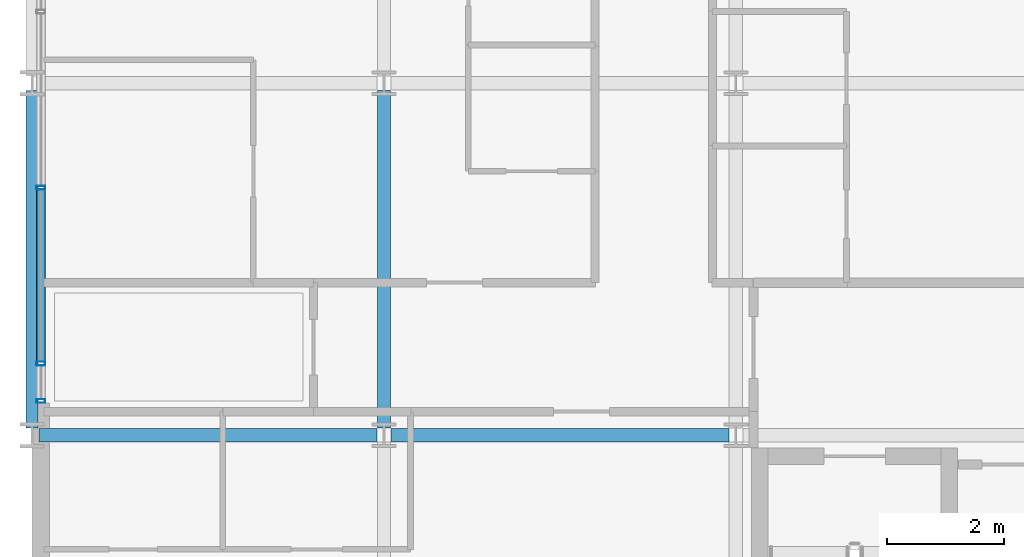
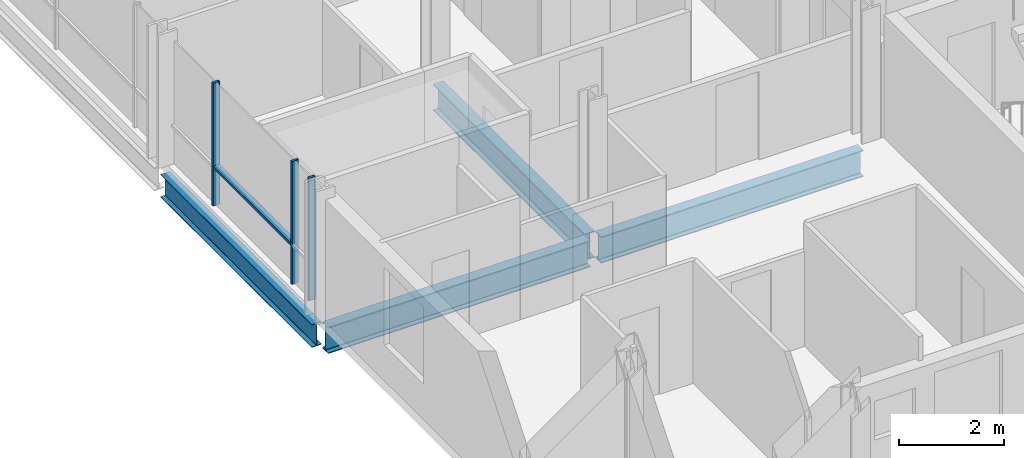
# One storey, part 2 of 40: 4 beams, 4 members, 1 element without a shape of its own.
"""IFC4 building model written with IfcOpenShell, lengths in metres."""

from ifc_helpers import new_model, si_unit, direction, frame, origin, origin_2d, place, context, subcontext, project, spatial, hollow_rectangle, i_section, extrude, material, layer, layer_set, material_profile, profile_set, type_object, element, aggregate, save


model = new_model("IFC4")

# Units and contexts
model_context = context("Model", 3, precision=1e-05, world=origin(), true_north=direction((0.0, 1.0)))
body_context = subcontext(model_context, "Body", "Model", "MODEL_VIEW")
ifc_project = project(units=[si_unit("LENGTHUNIT", "METRE"), si_unit("AREAUNIT", "SQUARE_METRE"), si_unit("VOLUMEUNIT", "CUBIC_METRE"), si_unit("PLANEANGLEUNIT", "RADIAN"), si_unit("MASSUNIT", "GRAM", prefix="KILO")], contexts=[model_context])

# Site, building, storey
site_placement = place(None, origin())
site = spatial("IfcSite", under=ifc_project, at=site_placement, CompositionType="ELEMENT")
building_placement = place(site_placement, origin())
building = spatial("IfcBuilding", under=site, at=building_placement, Name="Brevholm Reach", CompositionType="ELEMENT")
storey_placement = place(building_placement, frame((0.0, 0.0, 131.39990234375)))
storey = spatial("IfcBuildingStorey", under=building, at=storey_placement, Name="L39", CompositionType="ELEMENT", Elevation=131.39990234375)

# Beams
ifc_material_1 = material(Name="Structural Steel S355J2", Category="steel")
ifc_material_profile_1 = material_profile(ifc_material_1, i_section(OverallWidth=0.209228515625, OverallDepth=0.533203125, WebThickness=0.010009765625, FlangeThickness=0.015625, FilletRadius=0.0126953125, at=origin_2d()), Name="UKB 533x210x92")
ifc_profile_set_1 = profile_set([ifc_material_profile_1], Name="Structural Steel S355J2")
beam_type_1 = type_object("IfcBeamType", Name="BM-SP533", PredefinedType="SPANDREL", material=ifc_profile_set_1)
beam_placement = place(storey_placement, frame((0.0, 10.1201171875, -0.486572265625), z_axis=(0.0, 1.0, 0.0), x_axis=(-1.0, 0.0, 0.0)))
element("IfcBeam", 1, at=beam_placement, inside=storey, type_object=beam_type_1, Name="L39 SP-02 Framing Beam", PredefinedType="SPANDREL", context=body_context, shape_type="SweptSolid", body=[
    extrude(i_section(OverallWidth=0.209228515625, OverallDepth=0.533203125, WebThickness=0.010009765625, FlangeThickness=0.015625, FilletRadius=0.0126953125, at=origin_2d()), origin(), (0.0, 0.0, 1.0), 5.759765625),
])
ifc_material_2 = material(Name="Structural Steel S355J2", Category="steel")
ifc_material_profile_2 = material_profile(ifc_material_2, i_section(OverallWidth=0.22900390625, OverallDepth=0.6123046875, WebThickness=0.011962890625, FlangeThickness=0.01953125, FilletRadius=0.0126953125, at=origin_2d()), Name="UKB 610x229x125")
ifc_profile_set_2 = profile_set([ifc_material_profile_2], Name="Structural Steel S355J2")
beam_type_2 = type_object("IfcBeamType", Name="BM-SP610", PredefinedType="SPANDREL", material=ifc_profile_set_2)
for number, where, z_axis, x_axis, name in (
    (2, (0.1201171875, 10.0, -0.526123046875), (1.0, 0.0, 0.0), (0.0, 1.0, 0.0), "L39 SP-01 Framing Beam"),
    (3, (6.1201171875, 10.0, -0.526123046875), (1.0, 0.0, 0.0), (0.0, 1.0, 0.0), "L39 SP-01 Framing Beam"),
    (4, (6.0, 10.1201171875, -0.526123046875), (0.0, 1.0, 0.0), (-1.0, 0.0, 0.0), "L39 SP-01 Framing Beam"),
):
    element("IfcBeam", number, at=place(storey_placement, frame(where, z_axis=z_axis, x_axis=x_axis)), inside=storey, type_object=beam_type_2, Name=name, PredefinedType="SPANDREL", context=body_context, shape_type="SweptSolid", body=[
        extrude(i_section(OverallWidth=0.22900390625, OverallDepth=0.6123046875, WebThickness=0.011962890625, FlangeThickness=0.01953125, FilletRadius=0.0126953125, at=origin_2d()), origin(), (0.0, 0.0, 1.0), 5.759765625),
    ])

# Curtain wall, members
ifc_material_3 = material(Name="Dark Anodised Aluminium 6063-T6 and Solar-Control Glass", Category="aluminium")
ifc_layer = layer(ifc_material_3, 0.14990234375)
ifc_layer_set = layer_set([ifc_layer], Name="Dark Anodised Aluminium 6063-T6 and Solar-Control Glass")
curtain_wall_type = type_object("IfcCurtainWallType", Name="CW-01", PredefinedType="NOTDEFINED", material=ifc_layer_set)
curtain_wall_placement = place(storey_placement, origin())
curtain_wall = element("IfcCurtainWall", 5, at=curtain_wall_placement, inside=storey, type_object=curtain_wall_type, Name="L39 Curtain Wall CW-01", PredefinedType="NOTDEFINED")
ifc_material_4 = material(Name="Dark Anodised Aluminium 6063-T6", Category="aluminium")
ifc_material_profile_3 = material_profile(ifc_material_4, hollow_rectangle(XDim=0.06494140625, YDim=0.14990234375, WallThickness=0.0048828125, InnerFilletRadius=0.0048828125, OuterFilletRadius=0.010009765625, at=origin_2d()), Name="RHS 150x65x5")
ifc_profile_set_3 = profile_set([ifc_material_profile_3], Name="Dark Anodised Aluminium 6063-T6")
member_type_1 = type_object("IfcMemberType", Name="CWM-150", PredefinedType="MULLION", material=ifc_profile_set_3)
member_1_placement = place(storey_placement, frame((0.14990234375, 14.219970703125, 0.0), z_axis=(0.0, 0.0, 1.0), x_axis=(0.0, -1.0, 0.0)))
member_1 = element("IfcMember", 6, at=member_1_placement, type_object=member_type_1, Name="CM-150 Mullion 4", PredefinedType="MULLION", context=body_context, shape_type="SweptSolid", body=[
    extrude(hollow_rectangle(XDim=0.06494140625, YDim=0.14990234375, WallThickness=0.0048828125, InnerFilletRadius=0.0048828125, OuterFilletRadius=0.010009765625, at=origin_2d()), origin(), (0.0, 0.0, 1.0), 2.85009765625),
])
member_2_placement = place(storey_placement, frame((0.14990234375, 11.219970703125, 0.0), z_axis=(0.0, 0.0, 1.0), x_axis=(0.0, -1.0, 0.0)))
member_2 = element("IfcMember", 7, at=member_2_placement, type_object=member_type_1, Name="CM-150 Mullion 5", PredefinedType="MULLION", context=body_context, shape_type="SweptSolid", body=[
    extrude(hollow_rectangle(XDim=0.06494140625, YDim=0.14990234375, WallThickness=0.0048828125, InnerFilletRadius=0.0048828125, OuterFilletRadius=0.010009765625, at=origin_2d()), origin(), (0.0, 0.0, 1.0), 2.85009765625),
])
member_3_placement = place(storey_placement, frame((0.14990234375, 10.58251953125, 0.0), z_axis=(0.0, 0.0, 1.0), x_axis=(0.0, -1.0, 0.0)))
member_3 = element("IfcMember", 8, at=member_3_placement, type_object=member_type_1, Name="CM-150 Mullion 6", PredefinedType="MULLION", context=body_context, shape_type="SweptSolid", body=[
    extrude(hollow_rectangle(XDim=0.06494140625, YDim=0.14990234375, WallThickness=0.0048828125, InnerFilletRadius=0.0048828125, OuterFilletRadius=0.010009765625, at=origin_2d()), origin(), (0.0, 0.0, 1.0), 2.85009765625),
])
ifc_material_5 = material(Name="Dark Anodised Aluminium 6063-T6", Category="aluminium")
ifc_material_profile_4 = material_profile(ifc_material_5, hollow_rectangle(XDim=0.06494140625, YDim=0.14990234375, WallThickness=0.0048828125, InnerFilletRadius=0.0048828125, OuterFilletRadius=0.010009765625, at=origin_2d()), Name="RHS 150x65x5")
ifc_profile_set_4 = profile_set([ifc_material_profile_4], Name="Dark Anodised Aluminium 6063-T6")
member_type_2 = type_object("IfcMemberType", Name="CWT-150", PredefinedType="NOTDEFINED", material=ifc_profile_set_4)
member_4_placement = place(storey_placement, frame((0.14990234375, 14.1875, 0.900146484375), z_axis=(0.0, -1.0, 0.0), x_axis=(0.0, 0.0, 1.0)))
member_4 = element("IfcMember", 9, at=member_4_placement, type_object=member_type_2, Name="CT-150 Transom 4.1", ObjectType="TRANSOM", PredefinedType="USERDEFINED", context=body_context, shape_type="SweptSolid", body=[
    extrude(hollow_rectangle(XDim=0.06494140625, YDim=0.14990234375, WallThickness=0.0048828125, InnerFilletRadius=0.0048828125, OuterFilletRadius=0.010009765625, at=origin_2d()), origin(), (0.0, 0.0, 1.0), 2.93505859375),
])
aggregate(curtain_wall, [member_1, member_2, member_3, member_4])

save(model, "model.ifc")
